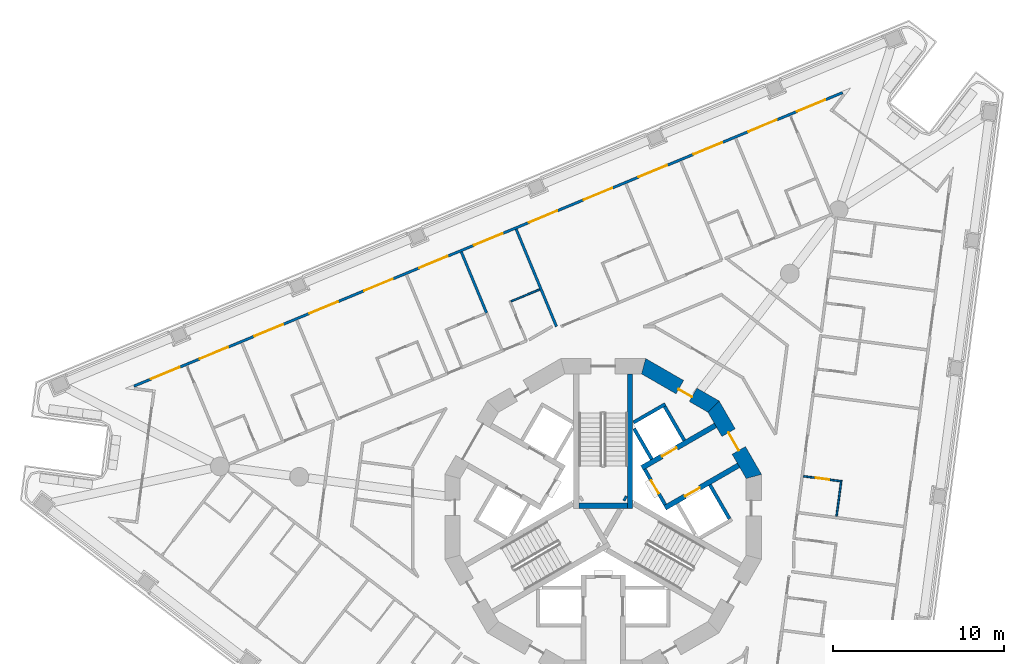
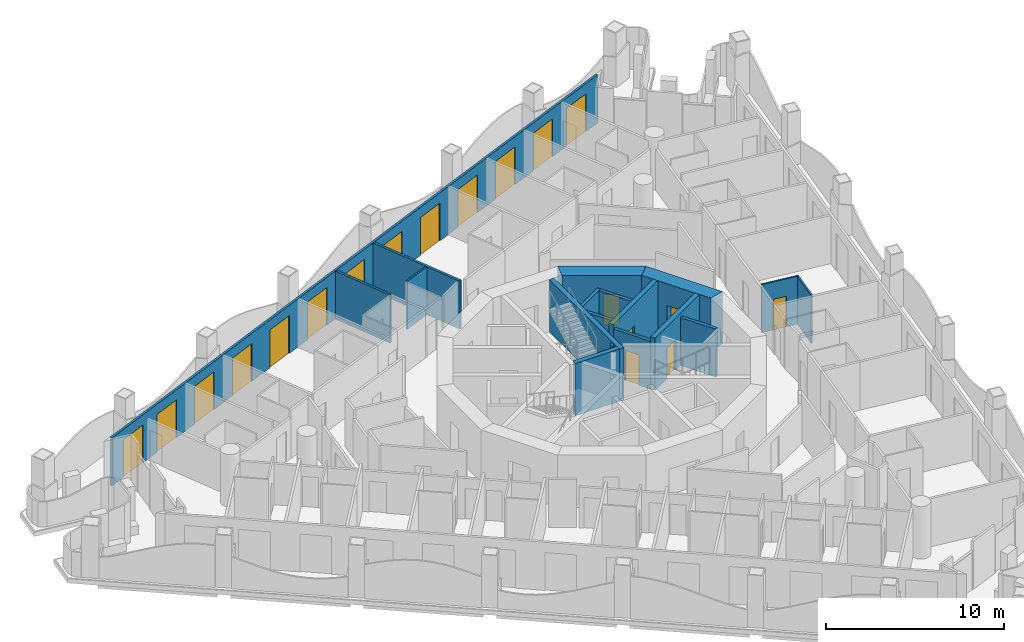
# One storey, part 8 of 17: 19 doors, 18 walls, 19 openings.
"""IFC4 building model written with IfcOpenShell, lengths in metres."""

import ifcopenshell
import ifcopenshell.guid

model = None  # the IFC model being written
_history = None  # IfcOwnerHistory: only IFC2X3 demands one
_inside = {}  # id of a spatial element -> (the spatial element, [elements in it])
_under = {}  # id of a project, library or spatial element -> (it, [spatial elements below it])
_declared = {}  # id of a project -> (the project, [libraries it declares])
_typed = {}  # id of a type object -> (the type object, [elements of that type])
_made_of = {}  # id of a material, layer set ... -> (it, [elements and type objects made of it])


def new_model(schema):
    """Start an empty IFC model of exactly this schema.

    Asked for "IFC4X3", IfcOpenShell would pick the latest addendum, in which some entities
    have other attributes; the version numbers below select the first issue.
    IFC2X3 requires an IfcOwnerHistory on every rooted entity: one is made here for all.
    """
    global model, _history
    if schema == "IFC4X3":
        model = ifcopenshell.file(schema_version=(4, 3, 0, 0))
    else:
        model = ifcopenshell.file(schema=schema)
    _inside.clear()
    _under.clear()
    _declared.clear()
    _typed.clear()
    _made_of.clear()
    _history = None
    if model.schema == "IFC2X3":
        org = make("IfcOrganization", Name="unknown")
        user = make(
            "IfcPersonAndOrganization",
            ThePerson=make("IfcPerson", FamilyName="unknown"),
            TheOrganization=org,
        )
        app = make(
            "IfcApplication",
            ApplicationDeveloper=org,
            Version="unknown",
            ApplicationFullName="unknown",
            ApplicationIdentifier="unknown",
        )
        _history = make(
            "IfcOwnerHistory",
            OwningUser=user,
            OwningApplication=app,
            ChangeAction="ADDED",
            CreationDate=0,
        )
    return model


def make(cls, **values):
    """One entity of the class cls with the attributes given. An attribute that is None is left unset."""
    return model.create_entity(
        cls, **{name: value for name, value in values.items() if value is not None}
    )


def rooted(cls, **values):
    """An entity with a GlobalId (a new one), such as an element, a storey or a relation."""
    return make(cls, GlobalId=ifcopenshell.guid.new(), OwnerHistory=_history, **values)


def si_unit(unit_type, name, prefix=None):
    """IfcSIUnit, for example si_unit("LENGTHUNIT", "METRE", prefix="MILLI")."""
    return make("IfcSIUnit", UnitType=unit_type, Prefix=prefix, Name=name)


def assignment(units):
    """IfcUnitAssignment: the units of a project."""
    return None if units is None else make("IfcUnitAssignment", Units=units)


def point(xyz):
    """IfcCartesianPoint."""
    return None if xyz is None else make("IfcCartesianPoint", Coordinates=xyz)


def direction(xyz):
    """IfcDirection."""
    return None if xyz is None else make("IfcDirection", DirectionRatios=xyz)


def frame(location, z_axis=None, x_axis=None):
    """IfcAxis2Placement3D, a coordinate frame: its origin and axes. An axis left out is left unset."""
    return make(
        "IfcAxis2Placement3D",
        Location=point(location),
        Axis=direction(z_axis),
        RefDirection=direction(x_axis),
    )


def frame_2d(location, x_axis=None):
    """IfcAxis2Placement2D, a coordinate frame in the plane: its origin and x axis."""
    return make(
        "IfcAxis2Placement2D", Location=point(location), RefDirection=direction(x_axis)
    )


def origin():
    """The frame at (0, 0, 0) with its axes left unset."""
    return frame((0.0, 0.0, 0.0))


def place(relative_to, where):
    """IfcLocalPlacement: puts the frame where relative to a parent placement (None: the world)."""
    return make(
        "IfcLocalPlacement", PlacementRelTo=relative_to, RelativePlacement=where
    )


def context(
    kind, dimensions, precision=None, world=None, true_north=None, identifier=None
):
    """IfcGeometricRepresentationContext, for example the 3D "Model" context."""
    return make(
        "IfcGeometricRepresentationContext",
        ContextIdentifier=identifier,
        ContextType=kind,
        CoordinateSpaceDimension=dimensions,
        Precision=precision,
        WorldCoordinateSystem=world,
        TrueNorth=true_north,
    )


def subcontext(parent, identifier, kind, view, scale=None):
    """IfcGeometricRepresentationSubContext, for example "Body" below "Model"."""
    return make(
        "IfcGeometricRepresentationSubContext",
        ContextIdentifier=identifier,
        ContextType=kind,
        ParentContext=parent,
        TargetScale=scale,
        TargetView=view,
    )


def project(units=None, contexts=None):
    """IfcProject with its units and contexts."""
    return rooted(
        "IfcProject",
        Name="project",
        RepresentationContexts=contexts,
        UnitsInContext=assignment(units),
    )


def spatial(cls, under=None, at=None, **own):
    """A site, building, storey or space (cls), placed at a placement, below another one or the project."""
    s = rooted(cls, ObjectPlacement=at, **own)
    if under is not None:
        _under.setdefault(under.id(), (under, []))[1].append(s)
    return s


def polyline(points):
    """IfcPolyline through the points."""
    return make("IfcPolyline", Points=[point(p) for p in points])


def profile(cls, at=None, kind="AREA", **sizes):
    """A parametric profile (cls). Its sizes go by their IFC names, for example OverallWidth=200.0."""
    return make(cls, ProfileType=kind, Position=at, **sizes)


def rectangle(**sizes):
    """IfcRectangleProfileDef."""
    return profile("IfcRectangleProfileDef", **sizes)


def outline(outer, holes=None, kind="AREA"):
    """IfcArbitraryClosedProfileDef: a profile drawn as a closed curve; with holes, ...WithVoids."""
    if holes is None:
        return make("IfcArbitraryClosedProfileDef", ProfileType=kind, OuterCurve=outer)
    return make(
        "IfcArbitraryProfileDefWithVoids",
        ProfileType=kind,
        OuterCurve=outer,
        InnerCurves=holes,
    )


def extrude(swept, where, along, depth):
    """IfcExtrudedAreaSolid: the profile swept, set in the frame where, extruded along a direction by depth."""
    return make(
        "IfcExtrudedAreaSolid",
        SweptArea=swept,
        Position=where,
        ExtrudedDirection=direction(along),
        Depth=depth,
    )


def shape(context_of_items, identifier, shape_type, items):
    """IfcShapeRepresentation: the items that make up one representation, for example the "Body"."""
    return make(
        "IfcShapeRepresentation",
        ContextOfItems=context_of_items,
        RepresentationIdentifier=identifier,
        RepresentationType=shape_type,
        Items=items,
    )


def material(Name=None, Category=None):
    """IfcMaterial."""
    return make("IfcMaterial", Name=Name, Category=Category)


def layer(
    of_material, thickness, ventilated=None, Name=None, Category=None, Priority=None
):
    """IfcMaterialLayer: one layer of a wall or slab, of a material (None: an air gap)."""
    return make(
        "IfcMaterialLayer",
        Material=of_material,
        LayerThickness=thickness,
        IsVentilated=ventilated,
        Name=Name,
        Category=Category,
        Priority=Priority,
    )


def layer_set(layers, Name=None):
    """IfcMaterialLayerSet."""
    return make("IfcMaterialLayerSet", MaterialLayers=layers, LayerSetName=Name)


def made_of(thing, what):
    """Note that an element or type object is made of a material, layer set ...; save() writes the relation."""
    if what is not None:
        _made_of.setdefault(what.id(), (what, []))[1].append(thing)
    return thing


def type_object(cls, material=None, **own):
    """A type object (cls), such as IfcWallType, which elements share."""
    return made_of(rooted(cls, **own), material)


def element(
    cls,
    number,
    at=None,
    inside=None,
    cuts=None,
    type_object=None,
    material=None,
    context=None,
    identifier="Body",
    shape_type=None,
    held_by="IfcProductDefinitionShape",
    body=None,
    shapes=None,
    **own,
):
    """One element of the class cls, such as IfcWall. Its Tag is "e" and its number.

    at: its placement. inside: the storey or other place that contains it. cuts: it is an
    opening in that element (IfcRelVoidsElement). A single representation is given by context,
    identifier, shape_type and body (its items); several are given by shapes. held_by: the class
    of the entity that holds the representations. save() writes the other relations.
    """
    e = rooted(cls, Tag="e%d" % number, ObjectPlacement=at, **own)
    if body is not None:
        shapes = [shape(context, identifier, shape_type, body)]
    if shapes is not None:
        e.Representation = make(held_by, Representations=shapes)
    if inside is not None:
        _inside.setdefault(inside.id(), (inside, []))[1].append(e)
    if cuts is not None:
        rooted(
            "IfcRelVoidsElement", RelatingBuildingElement=cuts, RelatedOpeningElement=e
        )
    if type_object is not None:
        _typed.setdefault(type_object.id(), (type_object, []))[1].append(e)
    return made_of(e, material)


def fill(opening, filler):
    """IfcRelFillsElement: the door or window that sits in an opening."""
    return rooted(
        "IfcRelFillsElement",
        RelatingOpeningElement=opening,
        RelatedBuildingElement=filler,
    )


def aggregate(whole, parts):
    """IfcRelAggregates: a whole, such as a stair, and the parts it consists of."""
    return rooted("IfcRelAggregates", RelatingObject=whole, RelatedObjects=parts)


def save(model, path):
    """Write the relations noted so far, then the file.

    IfcRelAggregates (storeys below a building ...), IfcRelContainedInSpatialStructure (elements
    in a storey), IfcRelDefinesByType, IfcRelAssociatesMaterial and IfcRelDeclares: one each for
    every whole, place, type object, material and project.
    """
    for whole, parts in _under.values():
        aggregate(whole, parts)
    for where, things in _inside.values():
        rooted(
            "IfcRelContainedInSpatialStructure",
            RelatedElements=things,
            RelatingStructure=where,
        )
    for kind, things in _typed.values():
        rooted("IfcRelDefinesByType", RelatedObjects=things, RelatingType=kind)
    for what, things in _made_of.values():
        rooted("IfcRelAssociatesMaterial", RelatedObjects=things, RelatingMaterial=what)
    for by, libraries in _declared.values():
        rooted("IfcRelDeclares", RelatingContext=by, RelatedDefinitions=libraries)
    model.write(path)


model = new_model("IFC4")

# Units and contexts
model_context = context("Model", 3, precision=1e-05, world=origin(), true_north=direction((0.0, 1.0)))
body_context = subcontext(model_context, "Body", "Model", "MODEL_VIEW")
ifc_project = project(units=[si_unit("LENGTHUNIT", "METRE"), si_unit("AREAUNIT", "SQUARE_METRE"), si_unit("VOLUMEUNIT", "CUBIC_METRE"), si_unit("PLANEANGLEUNIT", "RADIAN"), si_unit("MASSUNIT", "GRAM", prefix="KILO")], contexts=[model_context])

# Site, building, storey
site_placement = place(None, origin())
site = spatial("IfcSite", under=ifc_project, at=site_placement, CompositionType="ELEMENT")
building_placement = place(site_placement, origin())
building = spatial("IfcBuilding", under=site, at=building_placement, Name="Trine Commons Tower", CompositionType="ELEMENT")
storey_placement = place(building_placement, frame((0.0, 0.0, 149.39990234375)))
storey = spatial("IfcBuildingStorey", under=building, at=storey_placement, Name="L38", CompositionType="ELEMENT", Elevation=149.39990234375)

# Wall, openings, doors
ifc_material_1 = material(Name="Aluminium-framed insulated wall panel", Category="aluminium")
ifc_layer_1 = layer(ifc_material_1, 0.14990234375)
ifc_layer_set_1 = layer_set([ifc_layer_1], Name="Aluminium-framed insulated wall panel")
wall_type_1 = type_object("IfcWallType", Name="Glazed frame wall 150, EI 60", PredefinedType="SOLIDWALL", material=ifc_layer_set_1)
wall_1_placement = place(storey_placement, frame((52.38671875, 70.099609375, 0.0), z_axis=(0.0, 0.0, 1.0), x_axis=(0.92388051416, 0.382681062447, 0.0)))
wall_1 = element("IfcWall", 1, at=wall_1_placement, inside=storey, type_object=wall_type_1, Name="Glazed frame wall F1", PredefinedType="SOLIDWALL", context=body_context, shape_type="SweptSolid", body=[
    extrude(outline(polyline([(0.1494140625, 0.074951171875), (0.1494140625, -0.074951171875), (45.056884765625, -0.074951171875), (45.056884765625, 0.074951171875), (0.1494140625, 0.074951171875)])), origin(), (0.0, 0.0, 1.0), 3.300048828125),
])
opening_1_placement = place(wall_1_placement, frame((1.23876953125, 0.0, 0.0)))
opening_1 = element("IfcOpeningElement", 2, at=opening_1_placement, cuts=wall_1, Name="Opening BD-4F1-01", PredefinedType="OPENING", context=body_context, shape_type="SweptSolid", body=[
    extrude(rectangle(XDim=1.800048828125, YDim=2.60009765625, at=frame_2d((0.89990234375, 1.300048828125))), frame((0.0, 0.0849609375, 0.0), z_axis=(0.0, -1.0, 0.0), x_axis=(1.0, 0.0, 0.0)), (0.0, 0.0, 1.0), 0.169921875),
])
opening_2_placement = place(wall_1_placement, frame((4.316162109375, 0.0, 0.0)))
opening_2 = element("IfcOpeningElement", 3, at=opening_2_placement, cuts=wall_1, Name="Opening BD-4F1-02", PredefinedType="OPENING", context=body_context, shape_type="SweptSolid", body=[
    extrude(rectangle(XDim=1.800048828125, YDim=2.60009765625, at=frame_2d((0.89990234375, 1.300048828125))), frame((0.0, 0.0849609375, 0.0), z_axis=(0.0, -1.0, 0.0), x_axis=(1.0, 0.0, 0.0)), (0.0, 0.0, 1.0), 0.169921875),
])
opening_3_placement = place(wall_1_placement, frame((7.79345703125, 0.0, 0.0)))
opening_3 = element("IfcOpeningElement", 4, at=opening_3_placement, cuts=wall_1, Name="Opening BD-4F1-03", PredefinedType="OPENING", context=body_context, shape_type="SweptSolid", body=[
    extrude(rectangle(XDim=1.800048828125, YDim=2.60009765625, at=frame_2d((0.89990234375, 1.300048828125))), frame((0.0, 0.0849609375, 0.0), z_axis=(0.0, -1.0, 0.0), x_axis=(1.0, 0.0, 0.0)), (0.0, 0.0, 1.0), 0.169921875),
])
opening_4_placement = place(wall_1_placement, frame((11.27099609375, 0.0, 0.0)))
opening_4 = element("IfcOpeningElement", 5, at=opening_4_placement, cuts=wall_1, Name="Opening BD-4F1-04", PredefinedType="OPENING", context=body_context, shape_type="SweptSolid", body=[
    extrude(rectangle(XDim=1.800048828125, YDim=2.60009765625, at=frame_2d((0.89990234375, 1.300048828125))), frame((0.0, 0.0849609375, 0.0), z_axis=(0.0, -1.0, 0.0), x_axis=(1.0, 0.0, 0.0)), (0.0, 0.0, 1.0), 0.169921875),
])
opening_5_placement = place(wall_1_placement, frame((14.748291015625, 0.0, 0.0)))
opening_5 = element("IfcOpeningElement", 6, at=opening_5_placement, cuts=wall_1, Name="Opening BD-4F1-05", PredefinedType="OPENING", context=body_context, shape_type="SweptSolid", body=[
    extrude(rectangle(XDim=1.800048828125, YDim=2.60009765625, at=frame_2d((0.89990234375, 1.300048828125))), frame((0.0, 0.0849609375, 0.0), z_axis=(0.0, -1.0, 0.0), x_axis=(1.0, 0.0, 0.0)), (0.0, 0.0, 1.0), 0.169921875),
])
opening_6_placement = place(wall_1_placement, frame((18.2255859375, 0.0, 0.0)))
opening_6 = element("IfcOpeningElement", 7, at=opening_6_placement, cuts=wall_1, Name="Opening BD-4F1-06", PredefinedType="OPENING", context=body_context, shape_type="SweptSolid", body=[
    extrude(rectangle(XDim=1.800048828125, YDim=2.60009765625, at=frame_2d((0.89990234375, 1.300048828125))), frame((0.0, 0.0849609375, 0.0), z_axis=(0.0, -1.0, 0.0), x_axis=(1.0, 0.0, 0.0)), (0.0, 0.0, 1.0), 0.169921875),
])
opening_7_placement = place(wall_1_placement, frame((21.703125, 0.0, 0.0)))
opening_7 = element("IfcOpeningElement", 8, at=opening_7_placement, cuts=wall_1, Name="Opening BD-4F1-07", PredefinedType="OPENING", context=body_context, shape_type="SweptSolid", body=[
    extrude(rectangle(XDim=1.800048828125, YDim=2.60009765625, at=frame_2d((0.89990234375, 1.300048828125))), frame((0.0, 0.0849609375, 0.0), z_axis=(0.0, -1.0, 0.0), x_axis=(1.0, 0.0, 0.0)), (0.0, 0.0, 1.0), 0.169921875),
])
opening_8_placement = place(wall_1_placement, frame((25.180419921875, 0.0, 0.0)))
opening_8 = element("IfcOpeningElement", 9, at=opening_8_placement, cuts=wall_1, Name="Opening BD-4F1-08", PredefinedType="OPENING", context=body_context, shape_type="SweptSolid", body=[
    extrude(rectangle(XDim=1.800048828125, YDim=2.60009765625, at=frame_2d((0.89990234375, 1.300048828125))), frame((0.0, 0.0849609375, 0.0), z_axis=(0.0, -1.0, 0.0), x_axis=(1.0, 0.0, 0.0)), (0.0, 0.0, 1.0), 0.169921875),
])
opening_9_placement = place(wall_1_placement, frame((28.657958984375, 0.0, 0.0)))
opening_9 = element("IfcOpeningElement", 10, at=opening_9_placement, cuts=wall_1, Name="Opening BD-4F1-09", PredefinedType="OPENING", context=body_context, shape_type="SweptSolid", body=[
    extrude(rectangle(XDim=1.800048828125, YDim=2.60009765625, at=frame_2d((0.89990234375, 1.300048828125))), frame((0.0, 0.0849609375, 0.0), z_axis=(0.0, -1.0, 0.0), x_axis=(1.0, 0.0, 0.0)), (0.0, 0.0, 1.0), 0.169921875),
])
opening_10_placement = place(wall_1_placement, frame((32.13525390625, 0.0, 0.0)))
opening_10 = element("IfcOpeningElement", 11, at=opening_10_placement, cuts=wall_1, Name="Opening BD-4F1-10", PredefinedType="OPENING", context=body_context, shape_type="SweptSolid", body=[
    extrude(rectangle(XDim=1.800048828125, YDim=2.60009765625, at=frame_2d((0.89990234375, 1.300048828125))), frame((0.0, 0.0849609375, 0.0), z_axis=(0.0, -1.0, 0.0), x_axis=(1.0, 0.0, 0.0)), (0.0, 0.0, 1.0), 0.169921875),
])
opening_11_placement = place(wall_1_placement, frame((35.61279296875, 0.0, 0.0)))
opening_11 = element("IfcOpeningElement", 12, at=opening_11_placement, cuts=wall_1, Name="Opening BD-4F1-11", PredefinedType="OPENING", context=body_context, shape_type="SweptSolid", body=[
    extrude(rectangle(XDim=1.800048828125, YDim=2.60009765625, at=frame_2d((0.89990234375, 1.300048828125))), frame((0.0, 0.0849609375, 0.0), z_axis=(0.0, -1.0, 0.0), x_axis=(1.0, 0.0, 0.0)), (0.0, 0.0, 1.0), 0.169921875),
])
opening_12_placement = place(wall_1_placement, frame((39.090087890625, 0.0, 0.0)))
opening_12 = element("IfcOpeningElement", 13, at=opening_12_placement, cuts=wall_1, Name="Opening BD-4F1-12", PredefinedType="OPENING", context=body_context, shape_type="SweptSolid", body=[
    extrude(rectangle(XDim=1.800048828125, YDim=2.60009765625, at=frame_2d((0.89990234375, 1.300048828125))), frame((0.0, 0.0849609375, 0.0), z_axis=(0.0, -1.0, 0.0), x_axis=(1.0, 0.0, 0.0)), (0.0, 0.0, 1.0), 0.169921875),
])
opening_13_placement = place(wall_1_placement, frame((42.16748046875, 0.0, 0.0)))
opening_13 = element("IfcOpeningElement", 14, at=opening_13_placement, cuts=wall_1, Name="Opening BD-4F1-13", PredefinedType="OPENING", context=body_context, shape_type="SweptSolid", body=[
    extrude(rectangle(XDim=1.800048828125, YDim=2.60009765625, at=frame_2d((0.89990234375, 1.300048828125))), frame((0.0, 0.0849609375, 0.0), z_axis=(0.0, -1.0, 0.0), x_axis=(1.0, 0.0, 0.0)), (0.0, 0.0, 1.0), 0.169921875),
])
ifc_material_2 = material(Name="Anodised aluminium frame with double glazing", Category="aluminium")
door_type_1 = type_object("IfcDoorType", Name="Sliding loggia door 1800x2600", OperationType="SLIDING_TO_LEFT", PredefinedType="DOOR", material=ifc_material_2)
door_1_placement = place(opening_1_placement, origin())
door_1 = element("IfcDoor", 15, at=door_1_placement, inside=storey, type_object=door_type_1, Name="Loggia door F1 1", OperationType="SLIDING_TO_LEFT", OverallHeight=2.60009765625, OverallWidth=1.800048828125, PredefinedType="DOOR", context=body_context, shape_type="SweptSolid", body=[
    extrude(rectangle(XDim=1.800048828125, YDim=2.60009765625, at=frame_2d((0.89990234375, 1.300048828125))), frame((0.0, 0.02490234375, 0.0), z_axis=(0.0, -1.0, 0.0), x_axis=(1.0, 0.0, 0.0)), (0.0, 0.0, 1.0), 0.050048828125),
])
fill(opening_1, door_1)
door_2_placement = place(opening_2_placement, origin())
door_2 = element("IfcDoor", 16, at=door_2_placement, inside=storey, type_object=door_type_1, Name="Loggia door F1 2", OperationType="SLIDING_TO_LEFT", OverallHeight=2.60009765625, OverallWidth=1.800048828125, PredefinedType="DOOR", context=body_context, shape_type="SweptSolid", body=[
    extrude(rectangle(XDim=1.800048828125, YDim=2.60009765625, at=frame_2d((0.89990234375, 1.300048828125))), frame((0.0, 0.02490234375, 0.0), z_axis=(0.0, -1.0, 0.0), x_axis=(1.0, 0.0, 0.0)), (0.0, 0.0, 1.0), 0.050048828125),
])
fill(opening_2, door_2)
door_3_placement = place(opening_3_placement, origin())
door_3 = element("IfcDoor", 17, at=door_3_placement, inside=storey, type_object=door_type_1, Name="Loggia door F1 3", OperationType="SLIDING_TO_LEFT", OverallHeight=2.60009765625, OverallWidth=1.800048828125, PredefinedType="DOOR", context=body_context, shape_type="SweptSolid", body=[
    extrude(rectangle(XDim=1.800048828125, YDim=2.60009765625, at=frame_2d((0.89990234375, 1.300048828125))), frame((0.0, 0.02490234375, 0.0), z_axis=(0.0, -1.0, 0.0), x_axis=(1.0, 0.0, 0.0)), (0.0, 0.0, 1.0), 0.050048828125),
])
fill(opening_3, door_3)
door_4_placement = place(opening_4_placement, origin())
door_4 = element("IfcDoor", 18, at=door_4_placement, inside=storey, type_object=door_type_1, Name="Loggia door F1 4", OperationType="SLIDING_TO_LEFT", OverallHeight=2.60009765625, OverallWidth=1.800048828125, PredefinedType="DOOR", context=body_context, shape_type="SweptSolid", body=[
    extrude(rectangle(XDim=1.800048828125, YDim=2.60009765625, at=frame_2d((0.89990234375, 1.300048828125))), frame((0.0, 0.02490234375, 0.0), z_axis=(0.0, -1.0, 0.0), x_axis=(1.0, 0.0, 0.0)), (0.0, 0.0, 1.0), 0.050048828125),
])
fill(opening_4, door_4)
door_5_placement = place(opening_5_placement, origin())
door_5 = element("IfcDoor", 19, at=door_5_placement, inside=storey, type_object=door_type_1, Name="Loggia door F1 5", OperationType="SLIDING_TO_LEFT", OverallHeight=2.60009765625, OverallWidth=1.800048828125, PredefinedType="DOOR", context=body_context, shape_type="SweptSolid", body=[
    extrude(rectangle(XDim=1.800048828125, YDim=2.60009765625, at=frame_2d((0.89990234375, 1.300048828125))), frame((0.0, 0.02490234375, 0.0), z_axis=(0.0, -1.0, 0.0), x_axis=(1.0, 0.0, 0.0)), (0.0, 0.0, 1.0), 0.050048828125),
])
fill(opening_5, door_5)
door_6_placement = place(opening_6_placement, origin())
door_6 = element("IfcDoor", 20, at=door_6_placement, inside=storey, type_object=door_type_1, Name="Loggia door F1 6", OperationType="SLIDING_TO_LEFT", OverallHeight=2.60009765625, OverallWidth=1.800048828125, PredefinedType="DOOR", context=body_context, shape_type="SweptSolid", body=[
    extrude(rectangle(XDim=1.800048828125, YDim=2.60009765625, at=frame_2d((0.89990234375, 1.300048828125))), frame((0.0, 0.02490234375, 0.0), z_axis=(0.0, -1.0, 0.0), x_axis=(1.0, 0.0, 0.0)), (0.0, 0.0, 1.0), 0.050048828125),
])
fill(opening_6, door_6)
door_7_placement = place(opening_7_placement, origin())
door_7 = element("IfcDoor", 21, at=door_7_placement, inside=storey, type_object=door_type_1, Name="Loggia door F1 7", OperationType="SLIDING_TO_LEFT", OverallHeight=2.60009765625, OverallWidth=1.800048828125, PredefinedType="DOOR", context=body_context, shape_type="SweptSolid", body=[
    extrude(rectangle(XDim=1.800048828125, YDim=2.60009765625, at=frame_2d((0.89990234375, 1.300048828125))), frame((0.0, 0.02490234375, 0.0), z_axis=(0.0, -1.0, 0.0), x_axis=(1.0, 0.0, 0.0)), (0.0, 0.0, 1.0), 0.050048828125),
])
fill(opening_7, door_7)
door_8_placement = place(opening_8_placement, origin())
door_8 = element("IfcDoor", 22, at=door_8_placement, inside=storey, type_object=door_type_1, Name="Loggia door F1 8", OperationType="SLIDING_TO_LEFT", OverallHeight=2.60009765625, OverallWidth=1.800048828125, PredefinedType="DOOR", context=body_context, shape_type="SweptSolid", body=[
    extrude(rectangle(XDim=1.800048828125, YDim=2.60009765625, at=frame_2d((0.89990234375, 1.300048828125))), frame((0.0, 0.02490234375, 0.0), z_axis=(0.0, -1.0, 0.0), x_axis=(1.0, 0.0, 0.0)), (0.0, 0.0, 1.0), 0.050048828125),
])
fill(opening_8, door_8)
door_9_placement = place(opening_9_placement, origin())
door_9 = element("IfcDoor", 23, at=door_9_placement, inside=storey, type_object=door_type_1, Name="Loggia door F1 9", OperationType="SLIDING_TO_LEFT", OverallHeight=2.60009765625, OverallWidth=1.800048828125, PredefinedType="DOOR", context=body_context, shape_type="SweptSolid", body=[
    extrude(rectangle(XDim=1.800048828125, YDim=2.60009765625, at=frame_2d((0.89990234375, 1.300048828125))), frame((0.0, 0.02490234375, 0.0), z_axis=(0.0, -1.0, 0.0), x_axis=(1.0, 0.0, 0.0)), (0.0, 0.0, 1.0), 0.050048828125),
])
fill(opening_9, door_9)
door_10_placement = place(opening_10_placement, origin())
door_10 = element("IfcDoor", 24, at=door_10_placement, inside=storey, type_object=door_type_1, Name="Loggia door F1 10", OperationType="SLIDING_TO_LEFT", OverallHeight=2.60009765625, OverallWidth=1.800048828125, PredefinedType="DOOR", context=body_context, shape_type="SweptSolid", body=[
    extrude(rectangle(XDim=1.800048828125, YDim=2.60009765625, at=frame_2d((0.89990234375, 1.300048828125))), frame((0.0, 0.02490234375, 0.0), z_axis=(0.0, -1.0, 0.0), x_axis=(1.0, 0.0, 0.0)), (0.0, 0.0, 1.0), 0.050048828125),
])
fill(opening_10, door_10)
door_11_placement = place(opening_11_placement, origin())
door_11 = element("IfcDoor", 25, at=door_11_placement, inside=storey, type_object=door_type_1, Name="Loggia door F1 11", OperationType="SLIDING_TO_LEFT", OverallHeight=2.60009765625, OverallWidth=1.800048828125, PredefinedType="DOOR", context=body_context, shape_type="SweptSolid", body=[
    extrude(rectangle(XDim=1.800048828125, YDim=2.60009765625, at=frame_2d((0.89990234375, 1.300048828125))), frame((0.0, 0.02490234375, 0.0), z_axis=(0.0, -1.0, 0.0), x_axis=(1.0, 0.0, 0.0)), (0.0, 0.0, 1.0), 0.050048828125),
])
fill(opening_11, door_11)
door_12_placement = place(opening_12_placement, origin())
door_12 = element("IfcDoor", 26, at=door_12_placement, inside=storey, type_object=door_type_1, Name="Loggia door F1 12", OperationType="SLIDING_TO_LEFT", OverallHeight=2.60009765625, OverallWidth=1.800048828125, PredefinedType="DOOR", context=body_context, shape_type="SweptSolid", body=[
    extrude(rectangle(XDim=1.800048828125, YDim=2.60009765625, at=frame_2d((0.89990234375, 1.300048828125))), frame((0.0, 0.02490234375, 0.0), z_axis=(0.0, -1.0, 0.0), x_axis=(1.0, 0.0, 0.0)), (0.0, 0.0, 1.0), 0.050048828125),
])
fill(opening_12, door_12)
door_13_placement = place(opening_13_placement, origin())
door_13 = element("IfcDoor", 27, at=door_13_placement, inside=storey, type_object=door_type_1, Name="Loggia door F1 13", OperationType="SLIDING_TO_LEFT", OverallHeight=2.60009765625, OverallWidth=1.800048828125, PredefinedType="DOOR", context=body_context, shape_type="SweptSolid", body=[
    extrude(rectangle(XDim=1.800048828125, YDim=2.60009765625, at=frame_2d((0.89990234375, 1.300048828125))), frame((0.0, 0.02490234375, 0.0), z_axis=(0.0, -1.0, 0.0), x_axis=(1.0, 0.0, 0.0)), (0.0, 0.0, 1.0), 0.050048828125),
])
fill(opening_13, door_13)

# Wall, opening, door
ifc_material_3 = material(Name="Fire-rated gypsum shaft wall system")
ifc_layer_2 = layer(ifc_material_3, 0.199951171875)
ifc_layer_set_2 = layer_set([ifc_layer_2], Name="Fire-rated gypsum shaft wall system")
wall_type_2 = type_object("IfcWallType", Name="Lobby end wall 200 mm, EI 120", PredefinedType="PARTITIONING", material=ifc_layer_set_2)
wall_2_placement = place(storey_placement, frame((83.631103515625, 63.2109375, 0.0), z_axis=(0.0, 0.0, 1.0), x_axis=(-0.50012165622, 0.865955154139, 0.0)))
wall_2 = element("IfcWall", 28, at=wall_2_placement, inside=storey, type_object=wall_type_2, Name="Lobby end wall L38", PredefinedType="PARTITIONING", context=body_context, shape_type="SweptSolid", body=[
    extrude(rectangle(XDim=2.39990234375, YDim=0.199951171875, at=frame_2d((1.199951171875, 0.0))), origin(), (0.0, 0.0, 1.0), 3.300048828125),
])
opening_14_placement = place(wall_2_placement, frame((0.749755859375, 0.0, 0.0)))
opening_14 = element("IfcOpeningElement", 29, at=opening_14_placement, cuts=wall_2, Name="Opening K09.05", PredefinedType="OPENING", context=body_context, shape_type="SweptSolid", body=[
    extrude(rectangle(XDim=0.89990234375, YDim=2.10009765625, at=frame_2d((0.449951171875, 1.050048828125))), frame((0.0, 0.10986328125, 0.0), z_axis=(0.0, -1.0, 0.0), x_axis=(1.0, 0.0, 0.0)), (0.0, 0.0, 1.0), 0.219970703125),
])
ifc_material_4 = material(Name="Steel door leaf, fire-rated", Category="steel")
door_type_2 = type_object("IfcDoorType", Name="Riser access door, single leaf 900 x 2100, FD60", OperationType="SINGLE_SWING_LEFT", PredefinedType="DOOR", material=ifc_material_4)
door_14_placement = place(opening_14_placement, frame((0.89990234375, 0.0, 0.0), z_axis=(0.0, 0.0, 1.0), x_axis=(-1.0, 0.0, 0.0)))
door_14 = element("IfcDoor", 30, at=door_14_placement, inside=storey, type_object=door_type_2, Name="Riser door, Electrical riser L38", OperationType="SINGLE_SWING_LEFT", OverallHeight=2.10009765625, OverallWidth=0.89990234375, PredefinedType="DOOR", context=body_context, shape_type="SweptSolid", body=[
    extrude(rectangle(XDim=0.89990234375, YDim=2.10009765625, at=frame_2d((0.449951171875, 1.050048828125))), frame((0.0, 0.02490234375, 0.0), z_axis=(0.0, -1.0, 0.0), x_axis=(1.0, 0.0, 0.0)), (0.0, 0.0, 1.0), 0.050048828125),
])
fill(opening_14, door_14)

ifc_material_5 = material(Name="Concrete C70/85", Category="concrete")
ifc_layer_3 = layer(ifc_material_5, 0.300048828125)
ifc_layer_set_3 = layer_set([ifc_layer_3], Name="Concrete C70/85")
wall_type_3 = type_object("IfcWallType", Name="RC shear wall 300 mm, C70/85", PredefinedType="SHEAR", material=ifc_layer_set_3)
wall_3_placement = place(storey_placement, frame((82.26904296875, 65.368896484375, 0.0), z_axis=(0.0, 0.0, 1.0), x_axis=(0.865983655544, 0.500072303102, 0.0)))
wall_3 = element("IfcWall", 31, at=wall_3_placement, inside=storey, type_object=wall_type_3, Name="Core cross wall SWB-05 L38", PredefinedType="SHEAR", context=body_context, shape_type="SweptSolid", body=[
    extrude(rectangle(XDim=4.973388671875, YDim=0.300048828125, at=frame_2d((2.48681640625, 0.0))), origin(), (0.0, 0.0, 1.0), 3.60009765625),
])
opening_15_placement = place(wall_3_placement, frame((1.3505859375, 0.0, 0.0)))
opening_15 = element("IfcOpeningElement", 32, at=opening_15_placement, cuts=wall_3, Name="Opening LD5", PredefinedType="OPENING", context=body_context, shape_type="SweptSolid", body=[
    extrude(rectangle(XDim=1.0, YDim=2.10009765625, at=frame_2d((0.5, 1.050048828125))), frame((0.0, 0.159912109375, 0.0), z_axis=(0.0, -1.0, 0.0), x_axis=(1.0, 0.0, 0.0)), (0.0, 0.0, 1.0), 0.320068359375),
])
ifc_material_6 = material(Name="Stainless steel sliding door leaves", Category="steel")
door_type_3 = type_object("IfcDoorType", Name="Lift landing door, centre-opening sliding 1000 x 2100, FD90", OperationType="DOUBLE_DOOR_SLIDING", PredefinedType="DOOR", material=ifc_material_6)
door_15_placement = place(opening_15_placement, origin())
door_15 = element("IfcDoor", 33, at=door_15_placement, inside=storey, type_object=door_type_3, Name="Lift landing door HR1 L38", OperationType="DOUBLE_DOOR_SLIDING", OverallHeight=2.10009765625, OverallWidth=1.0, PredefinedType="DOOR", context=body_context, shape_type="SweptSolid", body=[
    extrude(rectangle(XDim=1.0, YDim=2.10009765625, at=frame_2d((0.5, 1.050048828125))), frame((0.0, 0.02490234375, 0.0), z_axis=(0.0, -1.0, 0.0), x_axis=(1.0, 0.0, 0.0)), (0.0, 0.0, 1.0), 0.050048828125),
])
fill(opening_15, door_15)

wall_4_placement = place(storey_placement, frame((83.618896484375, 63.031005859375, 0.0), z_axis=(0.0, 0.0, 1.0), x_axis=(0.866080953719, 0.499903772346, 0.0)))
wall_4 = element("IfcWall", 34, at=wall_4_placement, inside=storey, type_object=wall_type_3, Name="Core cross wall SWB-06 L38", PredefinedType="SHEAR", context=body_context, shape_type="SweptSolid", body=[
    extrude(rectangle(XDim=4.97314453125, YDim=0.300048828125, at=frame_2d((2.486572265625, 0.0))), origin(), (0.0, 0.0, 1.0), 3.60009765625),
])
opening_16_placement = place(wall_4_placement, frame((1.350341796875, 0.0, 0.0)))
opening_16 = element("IfcOpeningElement", 35, at=opening_16_placement, cuts=wall_4, Name="Opening LD6", PredefinedType="OPENING", context=body_context, shape_type="SweptSolid", body=[
    extrude(rectangle(XDim=1.0, YDim=2.10009765625, at=frame_2d((0.5, 1.050048828125))), frame((0.0, 0.159912109375, 0.0), z_axis=(0.0, -1.0, 0.0), x_axis=(1.0, 0.0, 0.0)), (0.0, 0.0, 1.0), 0.320068359375),
])
door_16_placement = place(opening_16_placement, origin())
door_16 = element("IfcDoor", 36, at=door_16_placement, inside=storey, type_object=door_type_3, Name="Lift landing door HR2 L38", OperationType="DOUBLE_DOOR_SLIDING", OverallHeight=2.10009765625, OverallWidth=1.0, PredefinedType="DOOR", context=body_context, shape_type="SweptSolid", body=[
    extrude(rectangle(XDim=1.0, YDim=2.10009765625, at=frame_2d((0.5, 1.050048828125))), frame((0.0, 0.02490234375, 0.0), z_axis=(0.0, -1.0, 0.0), x_axis=(1.0, 0.0, 0.0)), (0.0, 0.0, 1.0), 0.050048828125),
])
fill(opening_16, door_16)

# Walls
wall_5_placement = place(storey_placement, frame((81.220947265625, 63.614013671875, 0.0), z_axis=(0.0, 0.0, 1.0), x_axis=(0.867737973955, -0.497021939713, 0.0)))
element("IfcWall", 37, at=wall_5_placement, inside=storey, type_object=wall_type_3, Name="Core cross wall SWB-15 L38", PredefinedType="SHEAR", context=body_context, shape_type="SweptSolid", body=[
    extrude(rectangle(XDim=0.14892578125, YDim=0.300048828125, at=frame_2d((0.074462890625, 0.0))), origin(), (0.0, 0.0, 1.0), 3.60009765625),
])
wall_6_placement = place(storey_placement, frame((81.425048828125, 63.15087890625, 0.0), z_axis=(0.0, 0.0, 1.0), x_axis=(-1.0, 0.0, 0.0)))
element("IfcWall", 38, at=wall_6_placement, inside=storey, type_object=wall_type_3, Name="Core cross wall SWB-16 L38", PredefinedType="SHEAR", context=body_context, shape_type="SweptSolid", body=[
    extrude(rectangle(XDim=2.85009765625, YDim=0.300048828125, at=frame_2d((1.425048828125, 0.0))), origin(), (0.0, 0.0, 1.0), 3.60009765625),
])
wall_7_placement = place(storey_placement, frame((81.574951171875, 63.0009765625, 0.0), z_axis=(0.0, 0.0, 1.0), x_axis=(0.0, 1.0, 0.0)))
element("IfcWall", 39, at=wall_7_placement, inside=storey, type_object=wall_type_3, Name="Core cross wall SWB-17 L38", PredefinedType="SHEAR", context=body_context, shape_type="SweptSolid", body=[
    extrude(rectangle(XDim=7.8720703125, YDim=0.300048828125, at=frame_2d((3.93603515625, 0.0))), origin(), (0.0, 0.0, 1.0), 3.60009765625),
])

# Wall, opening, door
ifc_layer_4 = layer(ifc_material_5, 0.89990234375)
ifc_layer_set_4 = layer_set([ifc_layer_4], Name="Concrete C70/85")
wall_type_4 = type_object("IfcWallType", Name="RC shear wall 900 mm, C70/85", PredefinedType="SHEAR", material=ifc_layer_set_4)
wall_8_placement = place(storey_placement, frame((88.88330078125, 64.759765625, 0.0), z_axis=(0.0, 0.0, 1.0), x_axis=(-0.500038571144, 0.866003133579, 0.0)))
wall_8 = element("IfcWall", 40, at=wall_8_placement, inside=storey, type_object=wall_type_4, Name="Core wall CWD-02 L38", PredefinedType="SHEAR", context=body_context, shape_type="SweptSolid", body=[
    extrude(outline(polyline([(0.0, -0.449951171875), (4.96923828125, -0.449951171875), (4.72802734375, 0.449951171875), (0.2412109375, 0.449951171875), (0.0, -0.449951171875)])), origin(), (0.0, 0.0, 1.0), 3.60009765625),
])
opening_17_placement = place(wall_8_placement, frame((1.884521484375, 0.0, 0.0)))
opening_17 = element("IfcOpeningElement", 41, at=opening_17_placement, cuts=wall_8, Name="Opening K09.04", PredefinedType="OPENING", context=body_context, shape_type="SweptSolid", body=[
    extrude(rectangle(XDim=1.199951171875, YDim=2.10009765625, at=frame_2d((0.60009765625, 1.050048828125))), frame((0.0, 0.4599609375, 0.0), z_axis=(0.0, -1.0, 0.0), x_axis=(1.0, 0.0, 0.0)), (0.0, 0.0, 1.0), 0.919921875),
])
ifc_material_7 = material(Name="Steel door leaves, fire-rated", Category="steel")
door_type_4 = type_object("IfcDoorType", Name="Lobby door, double leaf 1200 x 2100, FD60", OperationType="DOUBLE_DOOR_SINGLE_SWING", PredefinedType="DOOR", material=ifc_material_7)
door_17_placement = place(opening_17_placement, origin())
door_17 = element("IfcDoor", 42, at=door_17_placement, inside=storey, type_object=door_type_4, Name="Lobby door, Passenger lift lobby A L38", OperationType="DOUBLE_DOOR_SINGLE_SWING", OverallHeight=2.10009765625, OverallWidth=1.199951171875, PredefinedType="DOOR", context=body_context, shape_type="SweptSolid", body=[
    extrude(rectangle(XDim=1.199951171875, YDim=2.10009765625, at=frame_2d((0.60009765625, 1.050048828125))), frame((0.0, 0.02490234375, 0.0), z_axis=(0.0, -1.0, 0.0), x_axis=(1.0, 0.0, 0.0)), (0.0, 0.0, 1.0), 0.050048828125),
])
fill(opening_17, door_17)

wall_9_placement = place(storey_placement, frame((86.563232421875, 68.8984375, 0.0), z_axis=(0.0, 0.0, 1.0), x_axis=(-0.866003133579, 0.500038571144, 0.0)))
wall_9 = element("IfcWall", 43, at=wall_9_placement, inside=storey, type_object=wall_type_4, Name="Core wall CWD-03 L38", PredefinedType="SHEAR", context=body_context, shape_type="SweptSolid", body=[
    extrude(outline(polyline([(0.0, -0.449951171875), (4.96923828125, -0.449951171875), (4.72802734375, 0.449951171875), (0.2412109375, 0.449951171875), (0.0, -0.449951171875)])), origin(), (0.0, 0.0, 1.0), 3.60009765625),
])
opening_18_placement = place(wall_9_placement, frame((1.49609375, 0.0, 0.0)))
opening_18 = element("IfcOpeningElement", 44, at=opening_18_placement, cuts=wall_9, Name="Opening K09.11", PredefinedType="OPENING", context=body_context, shape_type="SweptSolid", body=[
    extrude(rectangle(XDim=0.89990234375, YDim=2.10009765625, at=frame_2d((0.449951171875, 1.050048828125))), frame((0.0, 0.4599609375, 0.0), z_axis=(0.0, -1.0, 0.0), x_axis=(1.0, 0.0, 0.0)), (0.0, 0.0, 1.0), 0.919921875),
])
door_type_5 = type_object("IfcDoorType", Name="Core room door, single leaf 900 x 2100, FD30S", OperationType="SINGLE_SWING_LEFT", PredefinedType="DOOR", material=ifc_material_4)
door_18_placement = place(opening_18_placement, origin())
door_18 = element("IfcDoor", 45, at=door_18_placement, inside=storey, type_object=door_type_5, Name="Door to Accessible WC L38", OperationType="SINGLE_SWING_LEFT", OverallHeight=2.10009765625, OverallWidth=0.89990234375, PredefinedType="DOOR", context=body_context, shape_type="SweptSolid", body=[
    extrude(rectangle(XDim=0.89990234375, YDim=2.10009765625, at=frame_2d((0.449951171875, 1.050048828125))), frame((0.0, 0.1748046875, 0.0), z_axis=(0.0, -1.0, 0.0), x_axis=(1.0, 0.0, 0.0)), (0.0, 0.0, 1.0), 0.050048828125),
])
fill(opening_18, door_18)

# Walls
ifc_layer_5 = layer(ifc_material_3, 0.199951171875)
ifc_layer_set_5 = layer_set([ifc_layer_5], Name="Fire-rated gypsum shaft wall system")
wall_type_5 = type_object("IfcWallType", Name="Shaft wall 200 mm, EI 120", PredefinedType="PARTITIONING", material=ifc_layer_set_5)
wall_10_placement = place(storey_placement, frame((81.77490234375, 68.028076171875, 0.0), z_axis=(0.0, 0.0, 1.0), x_axis=(0.866130725101, 0.499817533742, 0.0)))
element("IfcWall", 46, at=wall_10_placement, inside=storey, type_object=wall_type_5, Name="Shaft wall L38", PredefinedType="PARTITIONING", context=body_context, shape_type="SweptSolid", body=[
    extrude(rectangle(XDim=2.148681640625, YDim=0.199951171875, at=frame_2d((1.07421875, 0.0))), origin(), (0.0, 0.0, 1.0), 3.300048828125),
])
wall_11_placement = place(storey_placement, frame((82.843994140625, 65.8740234375, 0.0), z_axis=(0.0, 0.0, 1.0), x_axis=(-0.499865770674, 0.866102887253, 0.0)))
element("IfcWall", 47, at=wall_11_placement, inside=storey, type_object=wall_type_5, Name="Shaft wall L38", PredefinedType="PARTITIONING", context=body_context, shape_type="SweptSolid", body=[
    extrude(rectangle(XDim=2.064453125, YDim=0.199951171875, at=frame_2d((1.0322265625, 0.0))), origin(), (0.0, 0.0, 1.0), 3.300048828125),
])
for number, where, z_axis, x_axis, name in (
    (48, (84.7490234375, 66.97412109375, 0.0), (0.0, 0.0, 1.0), (-0.500136062276, 0.86594683394, 0.0), "Shaft wall L38"),
    (49, (86.2490234375, 64.3759765625, 0.0), (0.0, 0.0, 1.0), (0.500136062276, -0.86594683394, 0.0), "Shaft wall L38"),
):
    element("IfcWall", number, at=place(storey_placement, frame(where, z_axis=z_axis, x_axis=x_axis)), inside=storey, type_object=wall_type_5, Name=name, PredefinedType="PARTITIONING", context=body_context, shape_type="SweptSolid", body=[
        extrude(rectangle(XDim=2.299072265625, YDim=0.199951171875, at=frame_2d((1.1494140625, 0.0))), origin(), (0.0, 0.0, 1.0), 3.300048828125),
    ])
ifc_material_8 = material(Name="Gypsum plasterboard on steel stud", Category="steel")
ifc_layer_6 = layer(ifc_material_8, 0.14990234375)
ifc_layer_set_6 = layer_set([ifc_layer_6], Name="Gypsum plasterboard on steel stud")
wall_type_6 = type_object("IfcWallType", Name="Unit and corridor wall 150 mm, EI 60", PredefinedType="PARTITIONING", material=ifc_layer_set_6)
wall_12_placement = place(storey_placement, frame((71.69140625, 78.014892578125, 0.0), z_axis=(0.0, 0.0, 1.0), x_axis=(0.382665703831, -0.923886875711, 0.0)))
element("IfcWall", 50, at=wall_12_placement, inside=storey, type_object=wall_type_6, Name="Partition 050", PredefinedType="PARTITIONING", context=body_context, shape_type="SweptSolid", body=[
    extrude(rectangle(XDim=3.869384765625, YDim=0.14990234375, at=frame_2d((1.9345703125, 0.0))), origin(), (0.0, 0.0, 1.0), 3.300048828125),
])
wall_13_placement = place(storey_placement, frame((74.904296875, 79.344970703125, 0.0), z_axis=(0.0, 0.0, 1.0), x_axis=(0.382660672574, -0.923888959597, 0.0)))
element("IfcWall", 51, at=wall_13_placement, inside=storey, type_object=wall_type_6, Name="Partition 061", PredefinedType="PARTITIONING", context=body_context, shape_type="SweptSolid", body=[
    extrude(rectangle(XDim=6.166259765625, YDim=0.14990234375, at=frame_2d((3.0830078125, 0.0))), origin(), (0.0, 0.0, 1.0), 3.300048828125),
])
ifc_layer_7 = layer(ifc_material_8, 0.10009765625)
ifc_layer_set_7 = layer_set([ifc_layer_7], Name="Gypsum plasterboard on steel stud")
wall_type_7 = type_object("IfcWallType", Name="Unit partition 100 mm, no rating", PredefinedType="PARTITIONING", material=ifc_layer_set_7)
wall_14_placement = place(storey_placement, frame((74.59912109375, 75.1181640625, 0.0), z_axis=(0.0, 0.0, 1.0), x_axis=(0.923677447173, 0.383170945641, 0.0)))
element("IfcWall", 52, at=wall_14_placement, inside=storey, type_object=wall_type_7, Name="Partition 059", PredefinedType="PARTITIONING", context=body_context, shape_type="SweptSolid", body=[
    extrude(rectangle(XDim=1.82470703125, YDim=0.10009765625, at=frame_2d((0.912353515625, 0.0))), origin(), (0.0, 0.0, 1.0), 3.300048828125),
])

# Wall, opening, door
wall_15_placement = place(storey_placement, frame((91.7294921875, 64.878173828125, 0.0), z_axis=(0.0, 0.0, 1.0), x_axis=(0.991411518653, -0.130779205848, 0.0)))
wall_15 = element("IfcWall", 53, at=wall_15_placement, inside=storey, type_object=wall_type_7, Name="Partition 130", PredefinedType="PARTITIONING", context=body_context, shape_type="SweptSolid", body=[
    extrude(rectangle(XDim=2.275634765625, YDim=0.10009765625, at=frame_2d((1.1376953125, 0.0))), origin(), (0.0, 0.0, 1.0), 3.300048828125),
])
opening_19_placement = place(wall_15_placement, frame((0.712890625, 0.0, 0.0)))
opening_19 = element("IfcOpeningElement", 54, at=opening_19_placement, cuts=wall_15, Name="Opening D-4C49", PredefinedType="OPENING", context=body_context, shape_type="SweptSolid", body=[
    extrude(rectangle(XDim=0.800048828125, YDim=2.10009765625, at=frame_2d((0.39990234375, 1.050048828125))), frame((0.0, 0.06005859375, 0.0), z_axis=(0.0, -1.0, 0.0), x_axis=(1.0, 0.0, 0.0)), (0.0, 0.0, 1.0), 0.1201171875),
])
ifc_material_9 = material(Name="Painted timber", Category="wood")
door_type_6 = type_object("IfcDoorType", Name="Internal door 800 x 2100, NOT RATED", OperationType="NOTDEFINED", PredefinedType="DOOR", material=ifc_material_9)
door_19_placement = place(opening_19_placement, origin())
door_19 = element("IfcDoor", 55, at=door_19_placement, inside=storey, type_object=door_type_6, Name="Door D-4C49", OperationType="SINGLE_SWING_LEFT", OverallHeight=2.10009765625, OverallWidth=0.800048828125, PredefinedType="DOOR", context=body_context, shape_type="SweptSolid", body=[
    extrude(rectangle(XDim=0.800048828125, YDim=2.10009765625, at=frame_2d((0.39990234375, 1.050048828125))), frame((0.0, 0.02490234375, 0.0), z_axis=(0.0, -1.0, 0.0), x_axis=(1.0, 0.0, 0.0)), (0.0, 0.0, 1.0), 0.050048828125),
])
fill(opening_19, door_19)

# Wall
wall_16_placement = place(storey_placement, frame((93.664794921875, 62.530517578125, 0.0), z_axis=(0.0, 0.0, 1.0), x_axis=(0.130741541504, 0.991416486309, 0.0)))
element("IfcWall", 56, at=wall_16_placement, inside=storey, type_object=wall_type_7, Name="Partition 147", PredefinedType="PARTITIONING", context=body_context, shape_type="SweptSolid", body=[
    extrude(rectangle(XDim=2.024169921875, YDim=0.10009765625, at=frame_2d((1.01220703125, 0.0))), origin(), (0.0, 0.0, 1.0), 3.300048828125),
])

save(model, "model.ifc")
